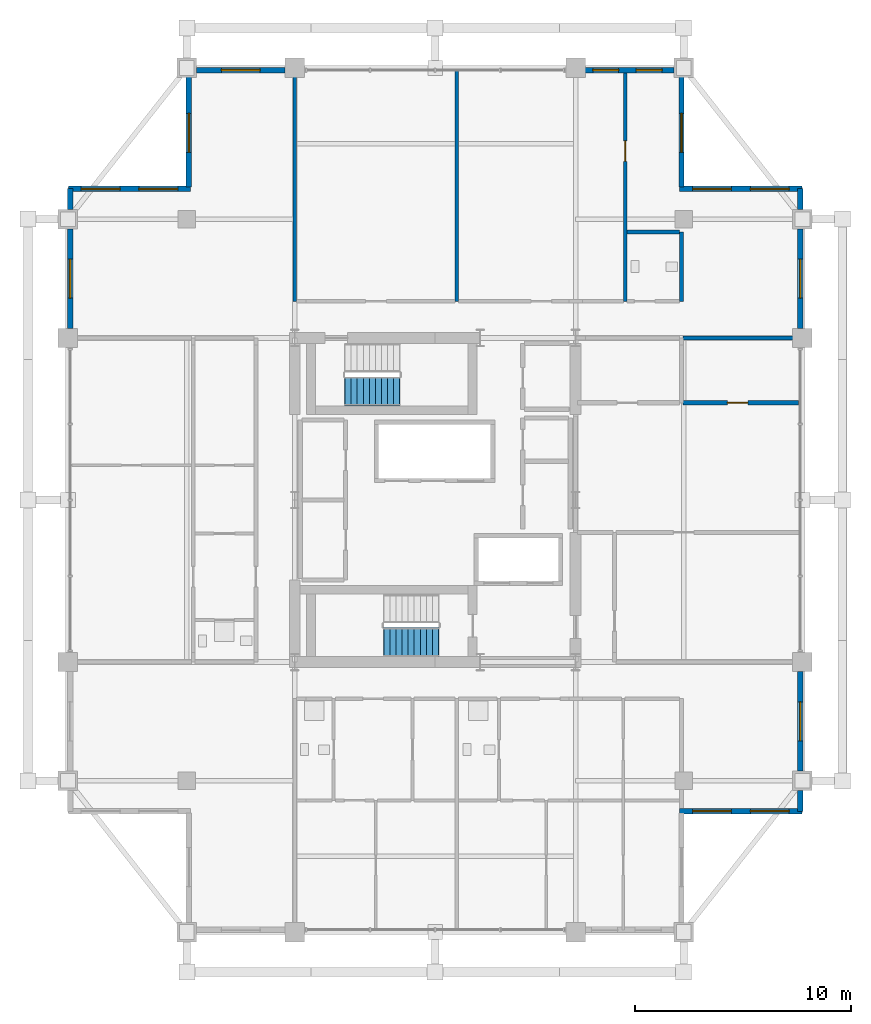
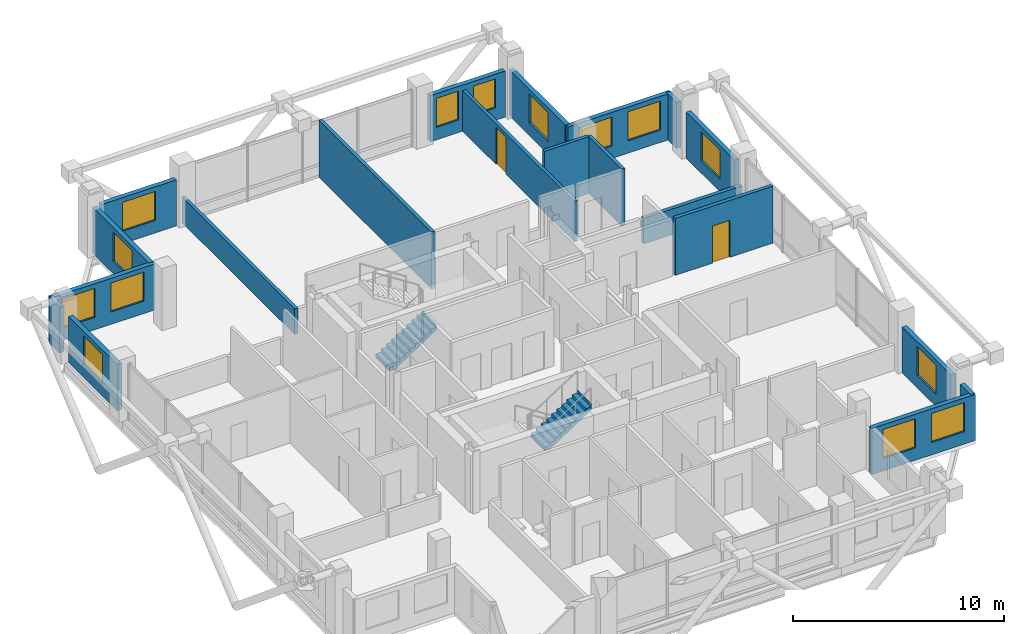
# One storey, part 22 of 25: 20 walls, 14 windows, 2 doors, 2 stair flights, 16 openings, 2 elements without a shape of their own.
"""IFC4 building model written with IfcOpenShell, lengths in metres."""

from ifc_helpers import new_model, si_unit, direction, frame, frame_2d, origin, place, context, subcontext, project, spatial, polyline, rectangle, outline, extrude, material, layer, layer_set, type_object, element, fill, aggregate, save


model = new_model("IFC4")

# Units and contexts
model_context = context("Model", 3, precision=1e-05, world=origin(), true_north=direction((0.0, 1.0)))
body_context = subcontext(model_context, "Body", "Model", "MODEL_VIEW")
ifc_project = project(units=[si_unit("LENGTHUNIT", "METRE"), si_unit("AREAUNIT", "SQUARE_METRE"), si_unit("VOLUMEUNIT", "CUBIC_METRE"), si_unit("PLANEANGLEUNIT", "RADIAN"), si_unit("MASSUNIT", "GRAM", prefix="KILO")], contexts=[model_context])

# Site, building, storey
site_placement = place(None, origin())
site = spatial("IfcSite", under=ifc_project, at=site_placement, CompositionType="ELEMENT")
building_placement = place(site_placement, origin())
building = spatial("IfcBuilding", under=site, at=building_placement, Name="Barlavira Tower and Art Museum", CompositionType="ELEMENT")
storey_placement = place(building_placement, frame((0.0, 0.0, 301.5)))
storey = spatial("IfcBuildingStorey", under=building, at=storey_placement, Name="L79", CompositionType="ELEMENT", Elevation=301.5)

# Wall, opening, door
ifc_material_1 = material(Name="Autoclaved aerated concrete masonry", Category="masonry")
ifc_layer_1 = layer(ifc_material_1, 0.199951171875, Name="Autoclaved aerated concrete masonry")
ifc_layer_set_1 = layer_set([ifc_layer_1], Name="Autoclaved aerated concrete masonry")
wall_type_1 = type_object("IfcWallType", Name="Fire Compartment and Shaft Wall 200", PredefinedType="SOLIDWALL", material=ifc_layer_set_1)
wall_1_placement = place(storey_placement, frame((11.47998046875, 4.5, 0.0), z_axis=(0.0, 0.0, 1.0), x_axis=(1.0, 0.0, 0.0)))
wall_1 = element("IfcWall", 1, at=wall_1_placement, inside=storey, type_object=wall_type_1, Name="L79 Partition Wall 66", PredefinedType="SOLIDWALL", context=body_context, shape_type="SweptSolid", body=[
    extrude(rectangle(XDim=5.340087890625, YDim=0.199951171875, at=frame_2d((2.669921875, 0.0))), origin(), (0.0, 0.0, 1.0), 3.300048828125),
])
opening_1_placement = place(wall_1_placement, frame((2.044921875, 0.0, 0.0)))
opening_1 = element("IfcOpeningElement", 2, at=opening_1_placement, cuts=wall_1, Name="Opening FD-60", PredefinedType="OPENING", context=body_context, shape_type="SweptSolid", body=[
    extrude(rectangle(XDim=0.949951171875, YDim=2.14990234375, at=frame_2d((0.47509765625, 1.074951171875))), frame((0.0, 0.10986328125, 0.0), z_axis=(0.0, -1.0, 0.0), x_axis=(1.0, 0.0, 0.0)), (0.0, 0.0, 1.0), 0.219970703125),
])
ifc_material_2 = material(Name="Brushed stainless steel", Category="steel")
door_type = type_object("IfcDoorType", Name="Apartment Entrance and Riser Fire Door 950x2150 FD60S", OperationType="NOTDEFINED", PredefinedType="DOOR", material=ifc_material_2)
door_1_placement = place(opening_1_placement, origin())
door_1 = element("IfcDoor", 3, at=door_1_placement, inside=storey, type_object=door_type, Name="High-Rise Amenity Linen Store Door", OperationType="SINGLE_SWING_LEFT", OverallHeight=2.14990234375, OverallWidth=0.949951171875, PredefinedType="DOOR", context=body_context, shape_type="SweptSolid", body=[
    extrude(rectangle(XDim=0.949951171875, YDim=2.14990234375, at=frame_2d((0.47509765625, 1.074951171875))), frame((0.0, 0.02490234375, 0.0), z_axis=(0.0, -1.0, 0.0), x_axis=(1.0, 0.0, 0.0)), (0.0, 0.0, 1.0), 0.050048828125),
])
fill(opening_1, door_1)

# Walls
wall_2_placement = place(storey_placement, frame((11.47998046875, 7.5, 0.0), z_axis=(0.0, 0.0, 1.0), x_axis=(1.0, 0.0, 0.0)))
element("IfcWall", 4, at=wall_2_placement, inside=storey, type_object=wall_type_1, Name="L79 Partition Wall 72", PredefinedType="SOLIDWALL", context=body_context, shape_type="SweptSolid", body=[
    extrude(rectangle(XDim=5.419921875, YDim=0.199951171875, at=frame_2d((2.7099609375, 0.0))), origin(), (0.0, 0.0, 1.0), 1.485107421875),
])
ifc_material_3 = material(Name="Gypsum acoustic stud partition", Category="gypsum")
ifc_layer_2 = layer(ifc_material_3, 0.179931640625, Name="Gypsum acoustic stud partition")
ifc_layer_set_2 = layer_set([ifc_layer_2], Name="Gypsum acoustic stud partition")
wall_type_2 = type_object("IfcWallType", Name="Inter-Tenancy Party Partition Wall 180", PredefinedType="PARTITIONING", material=ifc_layer_set_2)
wall_3_placement = place(storey_placement, frame((-6.5, 9.199951171875, 0.0), z_axis=(0.0, 0.0, 1.0), x_axis=(0.0, 1.0, 0.0)))
element("IfcWall", 5, at=wall_3_placement, inside=storey, type_object=wall_type_2, Name="L79 Partition Wall 8", PredefinedType="PARTITIONING", context=body_context, shape_type="SweptSolid", body=[
    extrude(rectangle(XDim=10.699951171875, YDim=0.179931640625, at=frame_2d((5.35009765625, 0.0))), origin(), (0.0, 0.0, 1.0), 1.485107421875),
])
wall_4_placement = place(storey_placement, frame((1.0, 9.199951171875, 0.0), z_axis=(0.0, 0.0, 1.0), x_axis=(0.0, 1.0, 0.0)))
element("IfcWall", 6, at=wall_4_placement, inside=storey, type_object=wall_type_2, Name="L79 Partition Wall 15", PredefinedType="PARTITIONING", context=body_context, shape_type="SweptSolid", body=[
    extrude(rectangle(XDim=10.699951171875, YDim=0.179931640625, at=frame_2d((5.35009765625, 0.0))), origin(), (0.0, 0.0, 1.0), 3.300048828125),
])

# Wall, opening, door
wall_5_placement = place(storey_placement, frame((8.800048828125, 9.199951171875, 0.0), z_axis=(0.0, 0.0, 1.0), x_axis=(0.0, 1.0, 0.0)))
wall_5 = element("IfcWall", 7, at=wall_5_placement, inside=storey, type_object=wall_type_2, Name="L79 Partition Wall 25", PredefinedType="PARTITIONING", context=body_context, shape_type="SweptSolid", body=[
    extrude(rectangle(XDim=10.699951171875, YDim=0.179931640625, at=frame_2d((5.35009765625, 0.0))), origin(), (0.0, 0.0, 1.0), 2.35302734375),
])
opening_2_placement = place(wall_5_placement, frame((6.47509765625, 0.0, 0.0)))
opening_2 = element("IfcOpeningElement", 8, at=opening_2_placement, cuts=wall_5, Name="Opening FD-60", PredefinedType="OPENING", context=body_context, shape_type="SweptSolid", body=[
    extrude(rectangle(XDim=0.949951171875, YDim=2.14990234375, at=frame_2d((0.47509765625, 1.074951171875))), frame((0.0, 0.10009765625, 0.0), z_axis=(0.0, -1.0, 0.0), x_axis=(1.0, 0.0, 0.0)), (0.0, 0.0, 1.0), 0.199951171875),
])
door_2_placement = place(opening_2_placement, origin())
door_2 = element("IfcDoor", 9, at=door_2_placement, inside=storey, type_object=door_type, Name="Thermal Relaxation Lounge Door", OperationType="SINGLE_SWING_LEFT", OverallHeight=2.14990234375, OverallWidth=0.949951171875, PredefinedType="DOOR", context=body_context, shape_type="SweptSolid", body=[
    extrude(rectangle(XDim=0.949951171875, YDim=2.14990234375, at=frame_2d((0.47509765625, 1.074951171875))), frame((0.0, 0.02490234375, 0.0), z_axis=(0.0, -1.0, 0.0), x_axis=(1.0, 0.0, 0.0)), (0.0, 0.0, 1.0), 0.050048828125),
])
fill(opening_2, door_2)

# Walls
wall_6_placement = place(storey_placement, frame((11.39990234375, 9.199951171875, 0.0), z_axis=(0.0, 0.0, 1.0), x_axis=(0.0, 1.0, 0.0)))
element("IfcWall", 10, at=wall_6_placement, inside=storey, type_object=wall_type_2, Name="L79 Partition Wall 29", PredefinedType="PARTITIONING", context=body_context, shape_type="SweptSolid", body=[
    extrude(rectangle(XDim=3.199951171875, YDim=0.179931640625, at=frame_2d((1.60009765625, 0.0))), origin(), (0.0, 0.0, 1.0), 3.300048828125),
])
wall_7_placement = place(storey_placement, frame((8.8798828125, 12.39990234375, 0.0), z_axis=(0.0, 0.0, 1.0), x_axis=(1.0, 0.0, 0.0)))
element("IfcWall", 11, at=wall_7_placement, inside=storey, type_object=wall_type_2, Name="L79 Partition Wall 79", PredefinedType="PARTITIONING", context=body_context, shape_type="SweptSolid", body=[
    extrude(rectangle(XDim=2.440185546875, YDim=0.179931640625, at=frame_2d((1.22021484375, 0.0))), origin(), (0.0, 0.0, 1.0), 3.300048828125),
])

# Wall, openings, windows
ifc_material_4 = material(Name="Precast concrete C40", Category="concrete")
ifc_layer_3 = layer(ifc_material_4, 0.25, Name="Precast concrete C40")
ifc_layer_set_3 = layer_set([ifc_layer_3], Name="Precast concrete C40")
wall_type_3 = type_object("IfcWallType", Name="Notched Corner Spandrel Wall 250 Precast Concrete C40", PredefinedType="SOLIDWALL", material=ifc_layer_set_3)
wall_8_placement = place(storey_placement, frame((11.054931640625, 19.89990234375, 0.0), z_axis=(0.0, 0.0, 1.0), x_axis=(-1.0, 0.0, 0.0)))
wall_8 = element("IfcWall", 12, at=wall_8_placement, inside=storey, type_object=wall_type_3, Name="L79 Coastal Facade Pier Wall CW4-L79-N-1", PredefinedType="SOLIDWALL", context=body_context, shape_type="SweptSolid", body=[
    extrude(rectangle(XDim=4.10986328125, YDim=0.25, at=frame_2d((2.054931640625, 0.0))), origin(), (0.0, 0.0, 1.0), 2.66796875),
])
opening_3_placement = place(wall_8_placement, frame((0.550048828125, 0.0, 0.719970703125)))
opening_3 = element("IfcOpeningElement", 13, at=opening_3_placement, cuts=wall_8, Name="Opening WN-05", PredefinedType="OPENING", context=body_context, shape_type="SweptSolid", body=[
    extrude(rectangle(XDim=1.199951171875, YDim=1.679931640625, at=frame_2d((0.60009765625, 0.83984375))), frame((0.0, 0.135009765625, 0.0), z_axis=(0.0, -1.0, 0.0), x_axis=(1.0, 0.0, 0.0)), (0.0, 0.0, 1.0), 0.27001953125),
])
opening_4_placement = place(wall_8_placement, frame((2.56005859375, 0.0, 0.719970703125)))
opening_4 = element("IfcOpeningElement", 14, at=opening_4_placement, cuts=wall_8, Name="Opening WN-05", PredefinedType="OPENING", context=body_context, shape_type="SweptSolid", body=[
    extrude(rectangle(XDim=1.199951171875, YDim=1.679931640625, at=frame_2d((0.60009765625, 0.83984375))), frame((0.0, 0.135009765625, 0.0), z_axis=(0.0, -1.0, 0.0), x_axis=(1.0, 0.0, 0.0)), (0.0, 0.0, 1.0), 0.27001953125),
])
ifc_material_5 = material(Name="Low-iron coastal laminated glass", Category="glass")
window_type_1 = type_object("IfcWindowType", Name="Recessed Flank Pier Punch Window 1200x1680", PartitioningType="SINGLE_PANEL", PredefinedType="WINDOW", material=ifc_material_5)
window_1_placement = place(opening_3_placement, origin())
window_1 = element("IfcWindow", 15, at=window_1_placement, inside=storey, type_object=window_type_1, Name="L79 Punched Facade Window EWP-CW4-L79-N-1-1", OverallHeight=1.679931640625, OverallWidth=1.199951171875, PartitioningType="SINGLE_PANEL", PredefinedType="WINDOW", context=body_context, shape_type="SweptSolid", body=[
    extrude(rectangle(XDim=1.199951171875, YDim=1.679931640625, at=frame_2d((0.60009765625, 0.83984375))), frame((0.0, 0.030029296875, 0.0), z_axis=(0.0, -1.0, 0.0), x_axis=(1.0, 0.0, 0.0)), (0.0, 0.0, 1.0), 0.06005859375),
])
fill(opening_3, window_1)
window_2_placement = place(opening_4_placement, origin())
window_2 = element("IfcWindow", 16, at=window_2_placement, inside=storey, type_object=window_type_1, Name="L79 Punched Facade Window EWP-CW4-L79-N-1-2", OverallHeight=1.679931640625, OverallWidth=1.199951171875, PartitioningType="SINGLE_PANEL", PredefinedType="WINDOW", context=body_context, shape_type="SweptSolid", body=[
    extrude(rectangle(XDim=1.199951171875, YDim=1.679931640625, at=frame_2d((0.60009765625, 0.83984375))), frame((0.0, 0.030029296875, 0.0), z_axis=(0.0, -1.0, 0.0), x_axis=(1.0, 0.0, 0.0)), (0.0, 0.0, 1.0), 0.06005859375),
])
fill(opening_4, window_2)

# Wall, opening, window
wall_9_placement = place(storey_placement, frame((-6.945068359375, 19.89990234375, 0.0), z_axis=(0.0, 0.0, 1.0), x_axis=(-1.0, 0.0, 0.0)))
wall_9 = element("IfcWall", 17, at=wall_9_placement, inside=storey, type_object=wall_type_3, Name="L79 Coastal Facade Pier Wall CW4-L79-N-3", PredefinedType="SOLIDWALL", context=body_context, shape_type="SweptSolid", body=[
    extrude(rectangle(XDim=4.10986328125, YDim=0.25, at=frame_2d((2.054931640625, 0.0))), origin(), (0.0, 0.0, 1.0), 2.66796875),
])
opening_5_placement = place(wall_9_placement, frame((1.155029296875, 0.0, 0.719970703125)))
opening_5 = element("IfcOpeningElement", 18, at=opening_5_placement, cuts=wall_9, Name="Opening WN-01", PredefinedType="OPENING", context=body_context, shape_type="SweptSolid", body=[
    extrude(rectangle(XDim=1.800048828125, YDim=1.679931640625, at=frame_2d((0.89990234375, 0.83984375))), frame((0.0, 0.135009765625, 0.0), z_axis=(0.0, -1.0, 0.0), x_axis=(1.0, 0.0, 0.0)), (0.0, 0.0, 1.0), 0.27001953125),
])
window_type_2 = type_object("IfcWindowType", Name="Recessed Notch Corner Punch Window 1800x1680", PartitioningType="SINGLE_PANEL", PredefinedType="WINDOW", material=ifc_material_5)
window_3_placement = place(opening_5_placement, origin())
window_3 = element("IfcWindow", 19, at=window_3_placement, inside=storey, type_object=window_type_2, Name="L79 Punched Facade Window EWP-CW4-L79-N-3-1", OverallHeight=1.679931640625, OverallWidth=1.800048828125, PartitioningType="SINGLE_PANEL", PredefinedType="WINDOW", context=body_context, shape_type="SweptSolid", body=[
    extrude(rectangle(XDim=1.800048828125, YDim=1.679931640625, at=frame_2d((0.89990234375, 0.83984375))), frame((0.0, 0.030029296875, 0.0), z_axis=(0.0, -1.0, 0.0), x_axis=(1.0, 0.0, 0.0)), (0.0, 0.0, 1.0), 0.06005859375),
])
fill(opening_5, window_3)

# Wall
wall_10_placement = place(storey_placement, frame((-16.89990234375, 14.425048828125, 0.0), z_axis=(0.0, 0.0, 1.0), x_axis=(0.0, -1.0, 0.0)))
element("IfcWall", 20, at=wall_10_placement, inside=storey, type_object=wall_type_3, Name="L79 Coastal Facade Pier Wall CW4-L79-W-1", PredefinedType="SOLIDWALL", context=body_context, shape_type="SweptSolid", body=[
    extrude(rectangle(XDim=0.97998046875, YDim=0.25, at=frame_2d((0.489990234375, 0.0))), origin(), (0.0, 0.0, 1.0), 2.66796875),
])

# Wall, opening, window
wall_11_placement = place(storey_placement, frame((-16.89990234375, 12.554931640625, 0.0), z_axis=(0.0, 0.0, 1.0), x_axis=(0.0, -1.0, 0.0)))
wall_11 = element("IfcWall", 21, at=wall_11_placement, inside=storey, type_object=wall_type_3, Name="L79 Coastal Facade Pier Wall CW4-L79-W-2", PredefinedType="SOLIDWALL", context=body_context, shape_type="SweptSolid", body=[
    extrude(rectangle(XDim=4.60986328125, YDim=0.25, at=frame_2d((2.304931640625, 0.0))), origin(), (0.0, 0.0, 1.0), 2.66796875),
])
opening_6_placement = place(wall_11_placement, frame((1.405029296875, 0.0, 0.719970703125)))
opening_6 = element("IfcOpeningElement", 22, at=opening_6_placement, cuts=wall_11, Name="Opening WN-01", PredefinedType="OPENING", context=body_context, shape_type="SweptSolid", body=[
    extrude(rectangle(XDim=1.800048828125, YDim=1.679931640625, at=frame_2d((0.89990234375, 0.83984375))), frame((0.0, 0.135009765625, 0.0), z_axis=(0.0, -1.0, 0.0), x_axis=(1.0, 0.0, 0.0)), (0.0, 0.0, 1.0), 0.27001953125),
])
window_4_placement = place(opening_6_placement, origin())
window_4 = element("IfcWindow", 23, at=window_4_placement, inside=storey, type_object=window_type_2, Name="L79 Punched Facade Window EWP-CW4-L79-W-2-1", OverallHeight=1.679931640625, OverallWidth=1.800048828125, PartitioningType="SINGLE_PANEL", PredefinedType="WINDOW", context=body_context, shape_type="SweptSolid", body=[
    extrude(rectangle(XDim=1.800048828125, YDim=1.679931640625, at=frame_2d((0.89990234375, 0.83984375))), frame((0.0, 0.030029296875, 0.0), z_axis=(0.0, -1.0, 0.0), x_axis=(1.0, 0.0, 0.0)), (0.0, 0.0, 1.0), 0.06005859375),
])
fill(opening_6, window_4)

# Wall
wall_12_placement = place(storey_placement, frame((16.89990234375, -14.425048828125, 0.0), z_axis=(0.0, 0.0, 1.0), x_axis=(0.0, 1.0, 0.0)))
element("IfcWall", 24, at=wall_12_placement, inside=storey, type_object=wall_type_3, Name="L79 Coastal Facade Pier Wall CW4-L79-E-1", PredefinedType="SOLIDWALL", context=body_context, shape_type="SweptSolid", body=[
    extrude(rectangle(XDim=0.97998046875, YDim=0.25, at=frame_2d((0.489990234375, 0.0))), origin(), (0.0, 0.0, 1.0), 2.66796875),
])

# Wall, opening, window
wall_13_placement = place(storey_placement, frame((16.89990234375, -12.554931640625, 0.0), z_axis=(0.0, 0.0, 1.0), x_axis=(0.0, 1.0, 0.0)))
wall_13 = element("IfcWall", 25, at=wall_13_placement, inside=storey, type_object=wall_type_3, Name="L79 Coastal Facade Pier Wall CW4-L79-E-2", PredefinedType="SOLIDWALL", context=body_context, shape_type="SweptSolid", body=[
    extrude(rectangle(XDim=4.60986328125, YDim=0.25, at=frame_2d((2.304931640625, 0.0))), origin(), (0.0, 0.0, 1.0), 2.66796875),
])
opening_7_placement = place(wall_13_placement, frame((1.405029296875, 0.0, 0.719970703125)))
opening_7 = element("IfcOpeningElement", 26, at=opening_7_placement, cuts=wall_13, Name="Opening WN-01", PredefinedType="OPENING", context=body_context, shape_type="SweptSolid", body=[
    extrude(rectangle(XDim=1.800048828125, YDim=1.679931640625, at=frame_2d((0.89990234375, 0.83984375))), frame((0.0, 0.135009765625, 0.0), z_axis=(0.0, -1.0, 0.0), x_axis=(1.0, 0.0, 0.0)), (0.0, 0.0, 1.0), 0.27001953125),
])
window_5_placement = place(opening_7_placement, origin())
window_5 = element("IfcWindow", 27, at=window_5_placement, inside=storey, type_object=window_type_2, Name="L79 Punched Facade Window EWP-CW4-L79-E-2-1", OverallHeight=1.679931640625, OverallWidth=1.800048828125, PartitioningType="SINGLE_PANEL", PredefinedType="WINDOW", context=body_context, shape_type="SweptSolid", body=[
    extrude(rectangle(XDim=1.800048828125, YDim=1.679931640625, at=frame_2d((0.89990234375, 0.83984375))), frame((0.0, 0.030029296875, 0.0), z_axis=(0.0, -1.0, 0.0), x_axis=(1.0, 0.0, 0.0)), (0.0, 0.0, 1.0), 0.06005859375),
])
fill(opening_7, window_5)

wall_14_placement = place(storey_placement, frame((16.89990234375, 7.945068359375, 0.0), z_axis=(0.0, 0.0, 1.0), x_axis=(0.0, 1.0, 0.0)))
wall_14 = element("IfcWall", 28, at=wall_14_placement, inside=storey, type_object=wall_type_3, Name="L79 Coastal Facade Pier Wall CW4-L79-E-4", PredefinedType="SOLIDWALL", context=body_context, shape_type="SweptSolid", body=[
    extrude(rectangle(XDim=4.60986328125, YDim=0.25, at=frame_2d((2.304931640625, 0.0))), origin(), (0.0, 0.0, 1.0), 2.66796875),
])
opening_8_placement = place(wall_14_placement, frame((1.405029296875, 0.0, 0.719970703125)))
opening_8 = element("IfcOpeningElement", 29, at=opening_8_placement, cuts=wall_14, Name="Opening WN-01", PredefinedType="OPENING", context=body_context, shape_type="SweptSolid", body=[
    extrude(rectangle(XDim=1.800048828125, YDim=1.679931640625, at=frame_2d((0.89990234375, 0.83984375))), frame((0.0, 0.135009765625, 0.0), z_axis=(0.0, -1.0, 0.0), x_axis=(1.0, 0.0, 0.0)), (0.0, 0.0, 1.0), 0.27001953125),
])
window_6_placement = place(opening_8_placement, origin())
window_6 = element("IfcWindow", 30, at=window_6_placement, inside=storey, type_object=window_type_2, Name="L79 Punched Facade Window EWP-CW4-L79-E-4-1", OverallHeight=1.679931640625, OverallWidth=1.800048828125, PartitioningType="SINGLE_PANEL", PredefinedType="WINDOW", context=body_context, shape_type="SweptSolid", body=[
    extrude(rectangle(XDim=1.800048828125, YDim=1.679931640625, at=frame_2d((0.89990234375, 0.83984375))), frame((0.0, 0.030029296875, 0.0), z_axis=(0.0, -1.0, 0.0), x_axis=(1.0, 0.0, 0.0)), (0.0, 0.0, 1.0), 0.06005859375),
])
fill(opening_8, window_6)

# Wall
wall_15_placement = place(storey_placement, frame((16.89990234375, 13.445068359375, 0.0), z_axis=(0.0, 0.0, 1.0), x_axis=(0.0, 1.0, 0.0)))
element("IfcWall", 31, at=wall_15_placement, inside=storey, type_object=wall_type_3, Name="L79 Coastal Facade Pier Wall CW4-L79-E-5", PredefinedType="SOLIDWALL", context=body_context, shape_type="SweptSolid", body=[
    extrude(rectangle(XDim=0.97998046875, YDim=0.25, at=frame_2d((0.489990234375, 0.0))), origin(), (0.0, 0.0, 1.0), 2.66796875),
])

# Wall, openings, windows
wall_16_placement = place(storey_placement, frame((11.320068359375, -14.39990234375, 0.0), z_axis=(0.0, 0.0, 1.0), x_axis=(1.0, 0.0, 0.0)))
wall_16 = element("IfcWall", 32, at=wall_16_placement, inside=storey, type_object=wall_type_3, Name="L79 Notch Corner Wall SE2", PredefinedType="SOLIDWALL", context=body_context, shape_type="SweptSolid", body=[
    extrude(rectangle(XDim=5.659912109375, YDim=0.25, at=frame_2d((2.830078125, 0.0))), origin(), (0.0, 0.0, 1.0), 2.66796875),
])
opening_9_placement = place(wall_16_placement, frame((0.594970703125, 0.0, 0.719970703125)))
opening_9 = element("IfcOpeningElement", 33, at=opening_9_placement, cuts=wall_16, Name="Opening WN-01", PredefinedType="OPENING", context=body_context, shape_type="SweptSolid", body=[
    extrude(rectangle(XDim=1.800048828125, YDim=1.679931640625, at=frame_2d((0.89990234375, 0.83984375))), frame((0.0, 0.135009765625, 0.0), z_axis=(0.0, -1.0, 0.0), x_axis=(1.0, 0.0, 0.0)), (0.0, 0.0, 1.0), 0.27001953125),
])
opening_10_placement = place(wall_16_placement, frame((3.264892578125, 0.0, 0.719970703125)))
opening_10 = element("IfcOpeningElement", 34, at=opening_10_placement, cuts=wall_16, Name="Opening WN-01", PredefinedType="OPENING", context=body_context, shape_type="SweptSolid", body=[
    extrude(rectangle(XDim=1.800048828125, YDim=1.679931640625, at=frame_2d((0.89990234375, 0.83984375))), frame((0.0, 0.135009765625, 0.0), z_axis=(0.0, -1.0, 0.0), x_axis=(1.0, 0.0, 0.0)), (0.0, 0.0, 1.0), 0.27001953125),
])
window_7_placement = place(opening_9_placement, origin())
window_7 = element("IfcWindow", 35, at=window_7_placement, inside=storey, type_object=window_type_2, Name="L79 Punched Facade Window EW-NTC-L79-SE2-1", OverallHeight=1.679931640625, OverallWidth=1.800048828125, PartitioningType="SINGLE_PANEL", PredefinedType="WINDOW", context=body_context, shape_type="SweptSolid", body=[
    extrude(rectangle(XDim=1.800048828125, YDim=1.679931640625, at=frame_2d((0.89990234375, 0.83984375))), frame((0.0, 0.030029296875, 0.0), z_axis=(0.0, -1.0, 0.0), x_axis=(1.0, 0.0, 0.0)), (0.0, 0.0, 1.0), 0.06005859375),
])
fill(opening_9, window_7)
window_8_placement = place(opening_10_placement, origin())
window_8 = element("IfcWindow", 36, at=window_8_placement, inside=storey, type_object=window_type_2, Name="L79 Punched Facade Window EW-NTC-L79-SE2-2", OverallHeight=1.679931640625, OverallWidth=1.800048828125, PartitioningType="SINGLE_PANEL", PredefinedType="WINDOW", context=body_context, shape_type="SweptSolid", body=[
    extrude(rectangle(XDim=1.800048828125, YDim=1.679931640625, at=frame_2d((0.89990234375, 0.83984375))), frame((0.0, 0.030029296875, 0.0), z_axis=(0.0, -1.0, 0.0), x_axis=(1.0, 0.0, 0.0)), (0.0, 0.0, 1.0), 0.06005859375),
])
fill(opening_10, window_8)

wall_17_placement = place(storey_placement, frame((16.97998046875, 14.39990234375, 0.0), z_axis=(0.0, 0.0, 1.0), x_axis=(-1.0, 0.0, 0.0)))
wall_17 = element("IfcWall", 37, at=wall_17_placement, inside=storey, type_object=wall_type_3, Name="L79 Notch Corner Wall NE1", PredefinedType="SOLIDWALL", context=body_context, shape_type="SweptSolid", body=[
    extrude(rectangle(XDim=5.659912109375, YDim=0.25, at=frame_2d((2.830078125, 0.0))), origin(), (0.0, 0.0, 1.0), 2.66796875),
])
opening_11_placement = place(wall_17_placement, frame((0.594970703125, 0.0, 0.719970703125)))
opening_11 = element("IfcOpeningElement", 38, at=opening_11_placement, cuts=wall_17, Name="Opening WN-01", PredefinedType="OPENING", context=body_context, shape_type="SweptSolid", body=[
    extrude(rectangle(XDim=1.800048828125, YDim=1.679931640625, at=frame_2d((0.89990234375, 0.83984375))), frame((0.0, 0.135009765625, 0.0), z_axis=(0.0, -1.0, 0.0), x_axis=(1.0, 0.0, 0.0)), (0.0, 0.0, 1.0), 0.27001953125),
])
opening_12_placement = place(wall_17_placement, frame((3.264892578125, 0.0, 0.719970703125)))
opening_12 = element("IfcOpeningElement", 39, at=opening_12_placement, cuts=wall_17, Name="Opening WN-01", PredefinedType="OPENING", context=body_context, shape_type="SweptSolid", body=[
    extrude(rectangle(XDim=1.800048828125, YDim=1.679931640625, at=frame_2d((0.89990234375, 0.83984375))), frame((0.0, 0.135009765625, 0.0), z_axis=(0.0, -1.0, 0.0), x_axis=(1.0, 0.0, 0.0)), (0.0, 0.0, 1.0), 0.27001953125),
])
window_9_placement = place(opening_11_placement, origin())
window_9 = element("IfcWindow", 40, at=window_9_placement, inside=storey, type_object=window_type_2, Name="L79 Punched Facade Window EW-NTC-L79-NE1-1", OverallHeight=1.679931640625, OverallWidth=1.800048828125, PartitioningType="SINGLE_PANEL", PredefinedType="WINDOW", context=body_context, shape_type="SweptSolid", body=[
    extrude(rectangle(XDim=1.800048828125, YDim=1.679931640625, at=frame_2d((0.89990234375, 0.83984375))), frame((0.0, 0.030029296875, 0.0), z_axis=(0.0, -1.0, 0.0), x_axis=(1.0, 0.0, 0.0)), (0.0, 0.0, 1.0), 0.06005859375),
])
fill(opening_11, window_9)
window_10_placement = place(opening_12_placement, origin())
window_10 = element("IfcWindow", 41, at=window_10_placement, inside=storey, type_object=window_type_2, Name="L79 Punched Facade Window EW-NTC-L79-NE1-2", OverallHeight=1.679931640625, OverallWidth=1.800048828125, PartitioningType="SINGLE_PANEL", PredefinedType="WINDOW", context=body_context, shape_type="SweptSolid", body=[
    extrude(rectangle(XDim=1.800048828125, YDim=1.679931640625, at=frame_2d((0.89990234375, 0.83984375))), frame((0.0, 0.030029296875, 0.0), z_axis=(0.0, -1.0, 0.0), x_axis=(1.0, 0.0, 0.0)), (0.0, 0.0, 1.0), 0.06005859375),
])
fill(opening_12, window_10)

# Wall, opening, window
wall_18_placement = place(storey_placement, frame((11.39990234375, 14.47998046875, 0.0), z_axis=(0.0, 0.0, 1.0), x_axis=(0.0, 1.0, 0.0)))
wall_18 = element("IfcWall", 42, at=wall_18_placement, inside=storey, type_object=wall_type_3, Name="L79 Notch Corner Wall NE2", PredefinedType="SOLIDWALL", context=body_context, shape_type="SweptSolid", body=[
    extrude(rectangle(XDim=5.340087890625, YDim=0.25, at=frame_2d((2.669921875, 0.0))), origin(), (0.0, 0.0, 1.0), 2.66796875),
])
opening_13_placement = place(wall_18_placement, frame((1.614990234375, 0.0, 0.719970703125)))
opening_13 = element("IfcOpeningElement", 43, at=opening_13_placement, cuts=wall_18, Name="Opening WN-01", PredefinedType="OPENING", context=body_context, shape_type="SweptSolid", body=[
    extrude(rectangle(XDim=1.800048828125, YDim=1.679931640625, at=frame_2d((0.89990234375, 0.83984375))), frame((0.0, 0.135009765625, 0.0), z_axis=(0.0, -1.0, 0.0), x_axis=(1.0, 0.0, 0.0)), (0.0, 0.0, 1.0), 0.27001953125),
])
window_11_placement = place(opening_13_placement, origin())
window_11 = element("IfcWindow", 44, at=window_11_placement, inside=storey, type_object=window_type_2, Name="L79 Punched Facade Window EW-NTC-L79-NE2-1", OverallHeight=1.679931640625, OverallWidth=1.800048828125, PartitioningType="SINGLE_PANEL", PredefinedType="WINDOW", context=body_context, shape_type="SweptSolid", body=[
    extrude(rectangle(XDim=1.800048828125, YDim=1.679931640625, at=frame_2d((0.89990234375, 0.83984375))), frame((0.0, 0.030029296875, 0.0), z_axis=(0.0, -1.0, 0.0), x_axis=(1.0, 0.0, 0.0)), (0.0, 0.0, 1.0), 0.06005859375),
])
fill(opening_13, window_11)

wall_19_placement = place(storey_placement, frame((-11.39990234375, 19.820068359375, 0.0), z_axis=(0.0, 0.0, 1.0), x_axis=(0.0, -1.0, 0.0)))
wall_19 = element("IfcWall", 45, at=wall_19_placement, inside=storey, type_object=wall_type_3, Name="L79 Notch Corner Wall NW1", PredefinedType="SOLIDWALL", context=body_context, shape_type="SweptSolid", body=[
    extrude(rectangle(XDim=5.340087890625, YDim=0.25, at=frame_2d((2.669921875, 0.0))), origin(), (0.0, 0.0, 1.0), 2.66796875),
])
opening_14_placement = place(wall_19_placement, frame((1.925048828125, 0.0, 0.719970703125)))
opening_14 = element("IfcOpeningElement", 46, at=opening_14_placement, cuts=wall_19, Name="Opening WN-01", PredefinedType="OPENING", context=body_context, shape_type="SweptSolid", body=[
    extrude(rectangle(XDim=1.800048828125, YDim=1.679931640625, at=frame_2d((0.89990234375, 0.83984375))), frame((0.0, 0.135009765625, 0.0), z_axis=(0.0, -1.0, 0.0), x_axis=(1.0, 0.0, 0.0)), (0.0, 0.0, 1.0), 0.27001953125),
])
window_12_placement = place(opening_14_placement, origin())
window_12 = element("IfcWindow", 47, at=window_12_placement, inside=storey, type_object=window_type_2, Name="L79 Punched Facade Window EW-NTC-L79-NW1-1", OverallHeight=1.679931640625, OverallWidth=1.800048828125, PartitioningType="SINGLE_PANEL", PredefinedType="WINDOW", context=body_context, shape_type="SweptSolid", body=[
    extrude(rectangle(XDim=1.800048828125, YDim=1.679931640625, at=frame_2d((0.89990234375, 0.83984375))), frame((0.0, 0.030029296875, 0.0), z_axis=(0.0, -1.0, 0.0), x_axis=(1.0, 0.0, 0.0)), (0.0, 0.0, 1.0), 0.06005859375),
])
fill(opening_14, window_12)

# Wall, openings, windows
wall_20_placement = place(storey_placement, frame((-11.320068359375, 14.39990234375, 0.0), z_axis=(0.0, 0.0, 1.0), x_axis=(-1.0, 0.0, 0.0)))
wall_20 = element("IfcWall", 48, at=wall_20_placement, inside=storey, type_object=wall_type_3, Name="L79 Notch Corner Wall NW2", PredefinedType="SOLIDWALL", context=body_context, shape_type="SweptSolid", body=[
    extrude(rectangle(XDim=5.659912109375, YDim=0.25, at=frame_2d((2.830078125, 0.0))), origin(), (0.0, 0.0, 1.0), 2.66796875),
])
opening_15_placement = place(wall_20_placement, frame((0.594970703125, 0.0, 0.719970703125)))
opening_15 = element("IfcOpeningElement", 49, at=opening_15_placement, cuts=wall_20, Name="Opening WN-01", PredefinedType="OPENING", context=body_context, shape_type="SweptSolid", body=[
    extrude(rectangle(XDim=1.800048828125, YDim=1.679931640625, at=frame_2d((0.89990234375, 0.83984375))), frame((0.0, 0.135009765625, 0.0), z_axis=(0.0, -1.0, 0.0), x_axis=(1.0, 0.0, 0.0)), (0.0, 0.0, 1.0), 0.27001953125),
])
opening_16_placement = place(wall_20_placement, frame((3.264892578125, 0.0, 0.719970703125)))
opening_16 = element("IfcOpeningElement", 50, at=opening_16_placement, cuts=wall_20, Name="Opening WN-01", PredefinedType="OPENING", context=body_context, shape_type="SweptSolid", body=[
    extrude(rectangle(XDim=1.800048828125, YDim=1.679931640625, at=frame_2d((0.89990234375, 0.83984375))), frame((0.0, 0.135009765625, 0.0), z_axis=(0.0, -1.0, 0.0), x_axis=(1.0, 0.0, 0.0)), (0.0, 0.0, 1.0), 0.27001953125),
])
window_13_placement = place(opening_15_placement, origin())
window_13 = element("IfcWindow", 51, at=window_13_placement, inside=storey, type_object=window_type_2, Name="L79 Punched Facade Window EW-NTC-L79-NW2-1", OverallHeight=1.679931640625, OverallWidth=1.800048828125, PartitioningType="SINGLE_PANEL", PredefinedType="WINDOW", context=body_context, shape_type="SweptSolid", body=[
    extrude(rectangle(XDim=1.800048828125, YDim=1.679931640625, at=frame_2d((0.89990234375, 0.83984375))), frame((0.0, 0.030029296875, 0.0), z_axis=(0.0, -1.0, 0.0), x_axis=(1.0, 0.0, 0.0)), (0.0, 0.0, 1.0), 0.06005859375),
])
fill(opening_15, window_13)
window_14_placement = place(opening_16_placement, origin())
window_14 = element("IfcWindow", 52, at=window_14_placement, inside=storey, type_object=window_type_2, Name="L79 Punched Facade Window EW-NTC-L79-NW2-2", OverallHeight=1.679931640625, OverallWidth=1.800048828125, PartitioningType="SINGLE_PANEL", PredefinedType="WINDOW", context=body_context, shape_type="SweptSolid", body=[
    extrude(rectangle(XDim=1.800048828125, YDim=1.679931640625, at=frame_2d((0.89990234375, 0.83984375))), frame((0.0, 0.030029296875, 0.0), z_axis=(0.0, -1.0, 0.0), x_axis=(1.0, 0.0, 0.0)), (0.0, 0.0, 1.0), 0.06005859375),
])
fill(opening_16, window_14)

# Stair, stair flight
ifc_material_6 = material(Name="Concrete C45", Category="concrete")
stair_type_1 = type_object("IfcStairType", Name="Tower North Dog-Leg Exit Stair Assembly Concrete C45", PredefinedType="TWO_QUARTER_TURN_STAIR", material=ifc_material_6)
stair_1_placement = place(storey_placement, origin())
stair_1 = element("IfcStair", 53, at=stair_1_placement, inside=storey, type_object=stair_type_1, Name="L79 Tower North Exit Stair ST-T2", PredefinedType="TWO_QUARTER_TURN_STAIR")
ifc_material_7 = material(Name="Precast concrete C45", Category="concrete")
stair_flight_type_1 = type_object("IfcStairFlightType", Name="Tower North Dog-Leg Exit Stair Precast Flight 1350 Concrete C45", PredefinedType="STRAIGHT", material=ifc_material_7)
stair_flight_1_placement = place(storey_placement, frame((-4.169921875, 5.02490234375, 0.0), z_axis=(0.0, 0.0, 1.0), x_axis=(1.0, 0.0, 0.0)))
stair_flight_1 = element("IfcStairFlight", 54, at=stair_flight_1_placement, type_object=stair_flight_type_1, Name="ST-T2 flight 1", NumberOfRisers=10, NumberOfTreads=9, PredefinedType="STRAIGHT", RiserHeight=0.18, TreadLength=0.28, context=body_context, shape_type="SweptSolid", body=[
    extrude(outline(polyline([(-0.02490234375, 0.0), (0.0, 0.0), (0.0, 0.179931640625), (0.280029296875, 0.179931640625), (0.280029296875, 0.360107421875), (0.56005859375, 0.360107421875), (0.56005859375, 0.5400390625), (0.840087890625, 0.5400390625), (0.840087890625, 0.719970703125), (1.1201171875, 0.719970703125), (1.1201171875, 0.89990234375), (1.39990234375, 0.89990234375), (1.39990234375, 1.080078125), (1.679931640625, 1.080078125), (1.679931640625, 1.260009765625), (1.9599609375, 1.260009765625), (1.9599609375, 1.43994140625), (2.239990234375, 1.43994140625), (2.239990234375, 1.6201171875), (2.52001953125, 1.6201171875), (2.52001953125, 1.800048828125), (2.544921875, 1.800048828125), (2.544921875, 1.44189453125), (2.52001953125, 1.44189453125), (0.277099609375, -0.02490234375), (-0.02490234375, -0.02490234375), (-0.02490234375, 0.0)])), frame((0.0, 0.675048828125, 0.0), z_axis=(0.0, -1.0, 0.0), x_axis=(1.0, 0.0, 0.0)), (0.0, 0.0, 1.0), 1.35009765625),
])
aggregate(stair_1, [stair_flight_1])

stair_type_2 = type_object("IfcStairType", Name="Tower South Dog-Leg Exit Stair Assembly Concrete C45", PredefinedType="TWO_QUARTER_TURN_STAIR", material=ifc_material_6)
stair_2_placement = place(storey_placement, origin())
stair_2 = element("IfcStair", 55, at=stair_2_placement, inside=storey, type_object=stair_type_2, Name="L79 Tower South Exit Stair ST-T1", PredefinedType="TWO_QUARTER_TURN_STAIR")
stair_flight_type_2 = type_object("IfcStairFlightType", Name="Tower South Dog-Leg Exit Stair Precast Flight 1350 Concrete C45", PredefinedType="STRAIGHT", material=ifc_material_7)
stair_flight_2_placement = place(storey_placement, frame((-2.3701171875, -6.574951171875, 1.800048828125), z_axis=(0.0, 0.0, 1.0), x_axis=(1.0, 0.0, 0.0)))
stair_flight_2 = element("IfcStairFlight", 56, at=stair_flight_2_placement, type_object=stair_flight_type_2, Name="ST-T1 flight 2", NumberOfRisers=10, NumberOfTreads=9, PredefinedType="STRAIGHT", RiserHeight=0.18, TreadLength=0.28, context=body_context, shape_type="SweptSolid", body=[
    extrude(outline(polyline([(-0.02490234375, 0.0), (0.0, 0.0), (0.0, 0.179931640625), (0.280029296875, 0.179931640625), (0.280029296875, 0.360107421875), (0.56005859375, 0.360107421875), (0.56005859375, 0.5400390625), (0.840087890625, 0.5400390625), (0.840087890625, 0.719970703125), (1.1201171875, 0.719970703125), (1.1201171875, 0.89990234375), (1.39990234375, 0.89990234375), (1.39990234375, 1.080078125), (1.679931640625, 1.080078125), (1.679931640625, 1.260009765625), (1.9599609375, 1.260009765625), (1.9599609375, 1.43994140625), (2.239990234375, 1.43994140625), (2.239990234375, 1.6201171875), (2.52001953125, 1.6201171875), (2.52001953125, 1.800048828125), (2.544921875, 1.800048828125), (2.544921875, 1.44189453125), (2.52001953125, 1.44189453125), (0.277099609375, -0.02490234375), (-0.02490234375, -0.02490234375), (-0.02490234375, 0.0)])), frame((0.0, 0.675048828125, 0.0), z_axis=(0.0, -1.0, 0.0), x_axis=(1.0, 0.0, 0.0)), (0.0, 0.0, 1.0), 1.35009765625),
])
aggregate(stair_2, [stair_flight_2])

save(model, "model.ifc")
